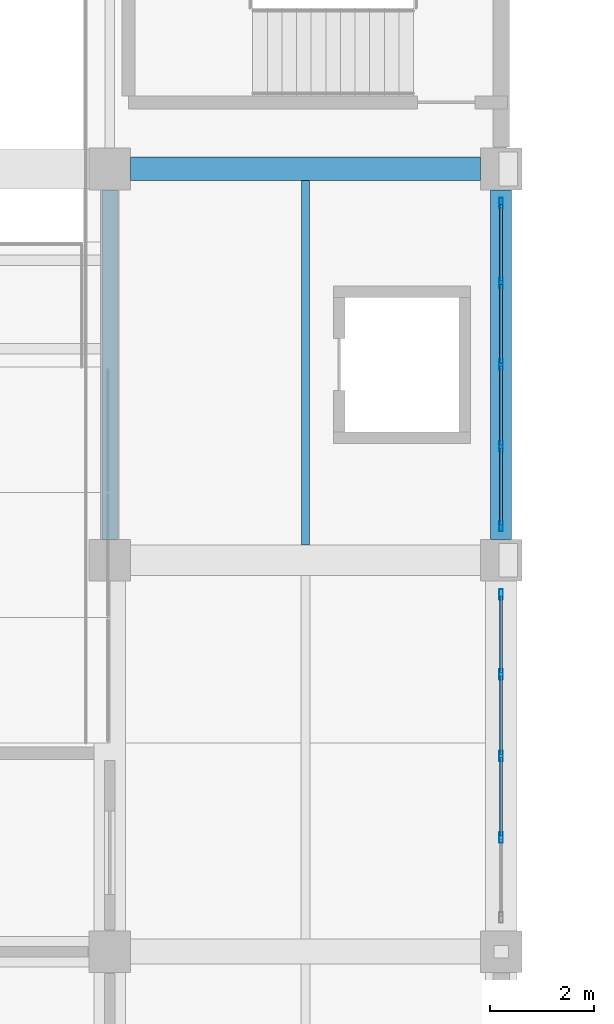
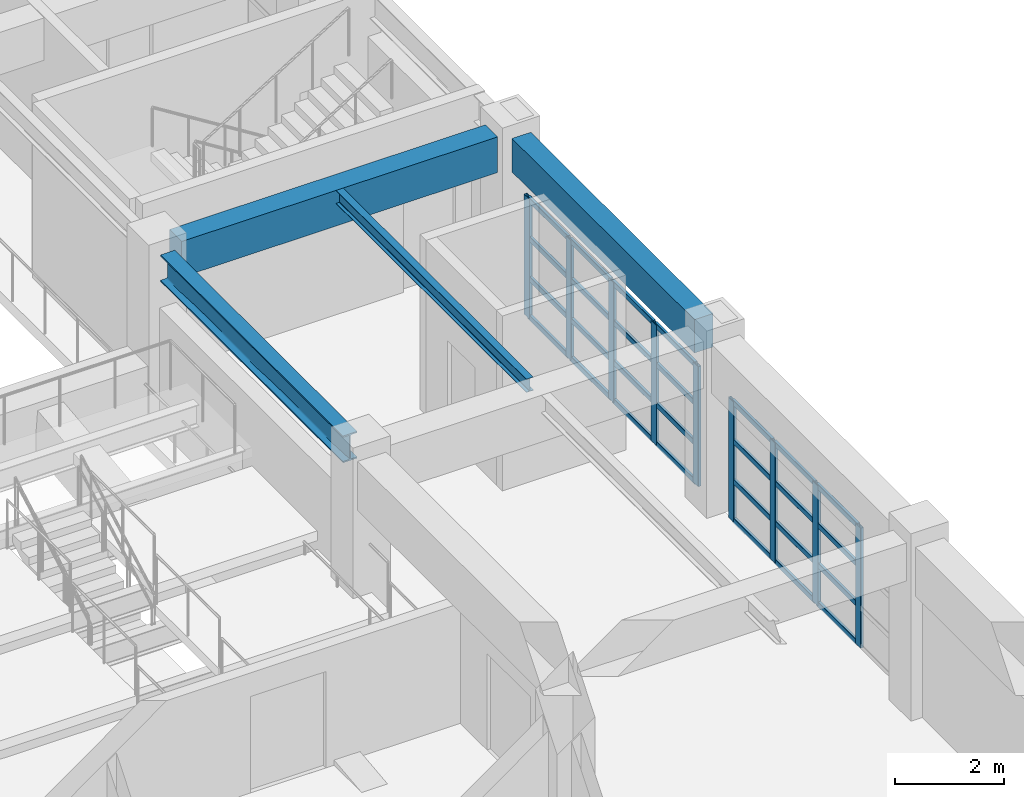
# One storey, part 38 of 124: 37 members, 4 beams, 2 elements without a shape of their own.
"""IFC4 building model written with IfcOpenShell, lengths in metres."""

from ifc_helpers import new_model, si_unit, direction, frame, origin, origin_2d, place, context, subcontext, project, spatial, rectangle, hollow_rectangle, i_section, extrude, material, material_profile, profile_set, type_object, element, aggregate, save


model = new_model("IFC4")

# Units and contexts
model_context = context("Model", 3, precision=1e-05, world=origin(), true_north=direction((0.0, 1.0)))
body_context = subcontext(model_context, "Body", "Model", "MODEL_VIEW")
ifc_project = project(units=[si_unit("LENGTHUNIT", "METRE"), si_unit("AREAUNIT", "SQUARE_METRE"), si_unit("VOLUMEUNIT", "CUBIC_METRE"), si_unit("PLANEANGLEUNIT", "RADIAN"), si_unit("MASSUNIT", "GRAM", prefix="KILO")], contexts=[model_context])

# Site, building, storey
site_placement = place(None, origin())
site = spatial("IfcSite", under=ifc_project, at=site_placement, CompositionType="ELEMENT")
building_placement = place(site_placement, origin())
building = spatial("IfcBuilding", under=site, at=building_placement, Name="Qasida Concert Hall", CompositionType="ELEMENT")
storey_placement = place(building_placement, frame((0.0, 0.0, 9.0)))
storey = spatial("IfcBuildingStorey", under=building, at=storey_placement, Name="L02", CompositionType="ELEMENT", Elevation=9.0)

# Beams
ifc_material_1 = material(Name="Steel S355J2", Category="steel")
ifc_material_profile_1 = material_profile(ifc_material_1, i_section(OverallWidth=0.300048828125, OverallDepth=0.60009765625, WebThickness=0.015380859375, FlangeThickness=0.030029296875, FilletRadius=0.027099609375, at=origin_2d()), Name="HEB 600")
ifc_profile_set_1 = profile_set([ifc_material_profile_1], Name="Steel S355J2")
beam_type_1 = type_object("IfcBeamType", Name="BM-B6", PredefinedType="BEAM", material=ifc_profile_set_1)
beam_1_placement = place(storey_placement, frame((97.5, 37.89990234375, 3.60009765625), z_axis=(0.0, 1.0, 0.0), x_axis=(-1.0, 0.0, 0.0)))
element("IfcBeam", 1, at=beam_1_placement, inside=storey, type_object=beam_type_1, Name="L02 girder 1189", PredefinedType="BEAM", context=body_context, shape_type="SweptSolid", body=[
    extrude(i_section(OverallWidth=0.300048828125, OverallDepth=0.60009765625, WebThickness=0.015380859375, FlangeThickness=0.030029296875, FilletRadius=0.027099609375, at=origin_2d()), origin(), (0.0, 0.0, 1.0), 6.7001953125),
])
ifc_material_2 = material(Name="Concrete C40/50", Category="concrete")
ifc_material_profile_2 = material_profile(ifc_material_2, rectangle(XDim=0.449951171875, YDim=0.800048828125, at=origin_2d()), Name="RC 450x800")
ifc_profile_set_2 = profile_set([ifc_material_profile_2], Name="Concrete C40/50")
beam_type_2 = type_object("IfcBeamType", Name="BM-G2", PredefinedType="USERDEFINED", material=ifc_profile_set_2)
beam_2_placement = place(storey_placement, frame((97.89990234375, 45.0, 3.5), z_axis=(1.0, 0.0, 0.0), x_axis=(0.0, 1.0, 0.0)))
element("IfcBeam", 2, at=beam_2_placement, inside=storey, type_object=beam_type_2, Name="Primary girder 1150", ObjectType="GIRDER", PredefinedType="USERDEFINED", context=body_context, shape_type="SweptSolid", body=[
    extrude(rectangle(XDim=0.449951171875, YDim=0.800048828125, at=origin_2d()), origin(), (0.0, 0.0, 1.0), 6.7001953125),
])
ifc_material_profile_3 = material_profile(ifc_material_1, i_section(OverallWidth=0.14990234375, OverallDepth=0.300048828125, WebThickness=0.007080078125, FlangeThickness=0.0107421875, FilletRadius=0.014892578125, at=origin_2d()), Name="IPE 300")
ifc_profile_set_3 = profile_set([ifc_material_profile_3], Name="Steel S355J2")
beam_type_3 = type_object("IfcBeamType", Name="BM-J4", PredefinedType="JOIST", material=ifc_profile_set_3)
beam_3_placement = place(storey_placement, frame((101.25, 37.7900390625, 3.75), z_axis=(0.0, 1.0, 0.0), x_axis=(-1.0, 0.0, 0.0)))
element("IfcBeam", 3, at=beam_3_placement, inside=storey, type_object=beam_type_3, Name="L02 secondary joist 1219", PredefinedType="JOIST", context=body_context, shape_type="SweptSolid", body=[
    extrude(i_section(OverallWidth=0.14990234375, OverallDepth=0.300048828125, WebThickness=0.007080078125, FlangeThickness=0.0107421875, FilletRadius=0.014892578125, at=origin_2d()), origin(), (0.0, 0.0, 1.0), 6.98486328125),
])
ifc_material_profile_4 = material_profile(ifc_material_2, rectangle(XDim=0.39990234375, YDim=0.75, at=origin_2d()), Name="RC 400x750")
ifc_profile_set_4 = profile_set([ifc_material_profile_4], Name="Concrete C40/50")
beam_type_4 = type_object("IfcBeamType", Name="BM-SP1", PredefinedType="SPANDREL", material=ifc_profile_set_4)
beam_4_placement = place(storey_placement, frame((105.0, 37.89990234375, 3.52490234375), z_axis=(0.0, 1.0, 0.0), x_axis=(-1.0, 0.0, 0.0)))
element("IfcBeam", 4, at=beam_4_placement, inside=storey, type_object=beam_type_4, Name="L02 girder 1195", PredefinedType="SPANDREL", context=body_context, shape_type="SweptSolid", body=[
    extrude(rectangle(XDim=0.39990234375, YDim=0.75, at=origin_2d()), origin(), (0.0, 0.0, 1.0), 6.7001953125),
])

# Curtain wall, members
ifc_material_3 = material(Name="Architectural bronze-anodized aluminium and low-E glass", Category="aluminium")
curtain_wall_type = type_object("IfcCurtainWallType", Name="CW-03", PredefinedType="NOTDEFINED", material=ifc_material_3)
curtain_wall_1_placement = place(storey_placement, origin())
curtain_wall_1 = element("IfcCurtainWall", 5, at=curtain_wall_1_placement, inside=storey, type_object=curtain_wall_type, Name="L02 curtain wall CW-03 0046", PredefinedType="NOTDEFINED")
ifc_material_4 = material(Name="Architectural bronze-anodized aluminium EN AW-6063", Category="aluminium")
ifc_material_profile_5 = material_profile(ifc_material_4, hollow_rectangle(XDim=0.06494140625, YDim=0.199951171875, WallThickness=0.0048828125, InnerFilletRadius=0.0048828125, OuterFilletRadius=0.010009765625, at=origin_2d()), Name="CWM 200x65x5")
ifc_profile_set_5 = profile_set([ifc_material_profile_5], Name="Architectural bronze-anodized aluminium EN AW-6063")
member_type_1 = type_object("IfcMemberType", Name="MB-CWM-2", PredefinedType="MULLION", material=ifc_profile_set_5)
member_1_placement = place(storey_placement, frame((105.0, 32.18505859375, 0.0), z_axis=(0.0, 0.0, 1.0), x_axis=(-1.0, 0.0, 0.0)))
member_1 = element("IfcMember", 6, at=member_1_placement, type_object=member_type_1, Name="CW-03 mullion 2", PredefinedType="MULLION", context=body_context, shape_type="SweptSolid", body=[
    extrude(hollow_rectangle(XDim=0.06494140625, YDim=0.199951171875, WallThickness=0.0048828125, InnerFilletRadius=0.0048828125, OuterFilletRadius=0.010009765625, at=origin_2d()), origin(), (0.0, 0.0, 1.0), 2.68994140625),
])
member_2_placement = place(storey_placement, frame((105.0, 33.75, 0.0), z_axis=(0.0, 0.0, 1.0), x_axis=(-1.0, 0.0, 0.0)))
member_2 = element("IfcMember", 7, at=member_2_placement, type_object=member_type_1, Name="CW-03 mullion 3", PredefinedType="MULLION", context=body_context, shape_type="SweptSolid", body=[
    extrude(hollow_rectangle(XDim=0.06494140625, YDim=0.199951171875, WallThickness=0.0048828125, InnerFilletRadius=0.0048828125, OuterFilletRadius=0.010009765625, at=origin_2d()), origin(), (0.0, 0.0, 1.0), 2.68994140625),
])
member_3_placement = place(storey_placement, frame((105.0, 35.31494140625, 0.0), z_axis=(0.0, 0.0, 1.0), x_axis=(-1.0, 0.0, 0.0)))
member_3 = element("IfcMember", 8, at=member_3_placement, type_object=member_type_1, Name="CW-03 mullion 4", PredefinedType="MULLION", context=body_context, shape_type="SweptSolid", body=[
    extrude(hollow_rectangle(XDim=0.06494140625, YDim=0.199951171875, WallThickness=0.0048828125, InnerFilletRadius=0.0048828125, OuterFilletRadius=0.010009765625, at=origin_2d()), origin(), (0.0, 0.0, 1.0), 2.68994140625),
])
member_4_placement = place(storey_placement, frame((105.0, 36.847412109375, 0.0), z_axis=(0.0, 0.0, 1.0), x_axis=(-1.0, 0.0, 0.0)))
member_4 = element("IfcMember", 9, at=member_4_placement, type_object=member_type_1, Name="CW-03 mullion 5", PredefinedType="MULLION", context=body_context, shape_type="SweptSolid", body=[
    extrude(hollow_rectangle(XDim=0.06494140625, YDim=0.199951171875, WallThickness=0.0048828125, InnerFilletRadius=0.0048828125, OuterFilletRadius=0.010009765625, at=origin_2d()), origin(), (0.0, 0.0, 1.0), 2.68994140625),
])

curtain_wall_2_placement = place(storey_placement, origin())
curtain_wall_2 = element("IfcCurtainWall", 10, at=curtain_wall_2_placement, inside=storey, type_object=curtain_wall_type, Name="L02 curtain wall CW-03 0048", PredefinedType="NOTDEFINED")
member_5_placement = place(storey_placement, frame((105.0, 38.152587890625, 0.0), z_axis=(0.0, 0.0, 1.0), x_axis=(-1.0, 0.0, 0.0)))
member_5 = element("IfcMember", 11, at=member_5_placement, type_object=member_type_1, Name="CW-03 mullion 1", PredefinedType="MULLION", context=body_context, shape_type="SweptSolid", body=[
    extrude(hollow_rectangle(XDim=0.06494140625, YDim=0.199951171875, WallThickness=0.0048828125, InnerFilletRadius=0.0048828125, OuterFilletRadius=0.010009765625, at=origin_2d()), origin(), (0.0, 0.0, 1.0), 2.68994140625),
])
member_6_placement = place(storey_placement, frame((105.0, 39.68505859375, 0.0), z_axis=(0.0, 0.0, 1.0), x_axis=(-1.0, 0.0, 0.0)))
member_6 = element("IfcMember", 12, at=member_6_placement, type_object=member_type_1, Name="CW-03 mullion 2", PredefinedType="MULLION", context=body_context, shape_type="SweptSolid", body=[
    extrude(hollow_rectangle(XDim=0.06494140625, YDim=0.199951171875, WallThickness=0.0048828125, InnerFilletRadius=0.0048828125, OuterFilletRadius=0.010009765625, at=origin_2d()), origin(), (0.0, 0.0, 1.0), 2.68994140625),
])
member_7_placement = place(storey_placement, frame((105.0, 41.25, 0.0), z_axis=(0.0, 0.0, 1.0), x_axis=(-1.0, 0.0, 0.0)))
member_7 = element("IfcMember", 13, at=member_7_placement, type_object=member_type_1, Name="CW-03 mullion 3", PredefinedType="MULLION", context=body_context, shape_type="SweptSolid", body=[
    extrude(hollow_rectangle(XDim=0.06494140625, YDim=0.199951171875, WallThickness=0.0048828125, InnerFilletRadius=0.0048828125, OuterFilletRadius=0.010009765625, at=origin_2d()), origin(), (0.0, 0.0, 1.0), 2.68994140625),
])
member_8_placement = place(storey_placement, frame((105.0, 42.81494140625, 0.0), z_axis=(0.0, 0.0, 1.0), x_axis=(-1.0, 0.0, 0.0)))
member_8 = element("IfcMember", 14, at=member_8_placement, type_object=member_type_1, Name="CW-03 mullion 4", PredefinedType="MULLION", context=body_context, shape_type="SweptSolid", body=[
    extrude(hollow_rectangle(XDim=0.06494140625, YDim=0.199951171875, WallThickness=0.0048828125, InnerFilletRadius=0.0048828125, OuterFilletRadius=0.010009765625, at=origin_2d()), origin(), (0.0, 0.0, 1.0), 2.68994140625),
])
member_9_placement = place(storey_placement, frame((105.0, 44.347412109375, 0.0), z_axis=(0.0, 0.0, 1.0), x_axis=(-1.0, 0.0, 0.0)))
member_9 = element("IfcMember", 15, at=member_9_placement, type_object=member_type_1, Name="CW-03 mullion 5", PredefinedType="MULLION", context=body_context, shape_type="SweptSolid", body=[
    extrude(hollow_rectangle(XDim=0.06494140625, YDim=0.199951171875, WallThickness=0.0048828125, InnerFilletRadius=0.0048828125, OuterFilletRadius=0.010009765625, at=origin_2d()), origin(), (0.0, 0.0, 1.0), 2.68994140625),
])

# Member
ifc_material_profile_6 = material_profile(ifc_material_4, hollow_rectangle(XDim=0.06005859375, YDim=0.1201171875, WallThickness=0.00390625, InnerFilletRadius=0.00390625, OuterFilletRadius=0.008056640625, at=origin_2d()), Name="CWT 120x60x4")
ifc_profile_set_6 = profile_set([ifc_material_profile_6], Name="Architectural bronze-anodized aluminium EN AW-6063")
member_type_2 = type_object("IfcMemberType", Name="MB-CWT-2", PredefinedType="USERDEFINED", material=ifc_profile_set_6)
member_10_placement = place(storey_placement, frame((105.0, 32.217529296875, 0.030029296875), z_axis=(0.0, 1.0, 0.0), x_axis=(-1.0, 0.0, 0.0)))
member_10 = element("IfcMember", 16, at=member_10_placement, type_object=member_type_2, Name="CW-03 transom 2.1", ObjectType="TRANSOM", PredefinedType="USERDEFINED", context=body_context, shape_type="SweptSolid", body=[
    extrude(hollow_rectangle(XDim=0.06005859375, YDim=0.1201171875, WallThickness=0.00390625, InnerFilletRadius=0.00390625, OuterFilletRadius=0.008056640625, at=origin_2d()), origin(), (0.0, 0.0, 1.0), 1.5),
])

member_11_placement = place(storey_placement, frame((105.0, 32.217529296875, 0.896728515625), z_axis=(0.0, 1.0, 0.0), x_axis=(-1.0, 0.0, 0.0)))
member_11 = element("IfcMember", 17, at=member_11_placement, type_object=member_type_2, Name="CW-03 transom 2.2", ObjectType="TRANSOM", PredefinedType="USERDEFINED", context=body_context, shape_type="SweptSolid", body=[
    extrude(hollow_rectangle(XDim=0.06005859375, YDim=0.1201171875, WallThickness=0.00390625, InnerFilletRadius=0.00390625, OuterFilletRadius=0.008056640625, at=origin_2d()), origin(), (0.0, 0.0, 1.0), 1.5),
])

member_12_placement = place(storey_placement, frame((105.0, 32.217529296875, 1.793212890625), z_axis=(0.0, 1.0, 0.0), x_axis=(-1.0, 0.0, 0.0)))
member_12 = element("IfcMember", 18, at=member_12_placement, type_object=member_type_2, Name="CW-03 transom 2.3", ObjectType="TRANSOM", PredefinedType="USERDEFINED", context=body_context, shape_type="SweptSolid", body=[
    extrude(hollow_rectangle(XDim=0.06005859375, YDim=0.1201171875, WallThickness=0.00390625, InnerFilletRadius=0.00390625, OuterFilletRadius=0.008056640625, at=origin_2d()), origin(), (0.0, 0.0, 1.0), 1.5),
])

member_13_placement = place(storey_placement, frame((105.0, 32.217529296875, 2.659912109375), z_axis=(0.0, 1.0, 0.0), x_axis=(-1.0, 0.0, 0.0)))
member_13 = element("IfcMember", 19, at=member_13_placement, type_object=member_type_2, Name="CW-03 transom 2.4", ObjectType="TRANSOM", PredefinedType="USERDEFINED", context=body_context, shape_type="SweptSolid", body=[
    extrude(hollow_rectangle(XDim=0.06005859375, YDim=0.1201171875, WallThickness=0.00390625, InnerFilletRadius=0.00390625, OuterFilletRadius=0.008056640625, at=origin_2d()), origin(), (0.0, 0.0, 1.0), 1.5),
])

member_14_placement = place(storey_placement, frame((105.0, 33.782470703125, 0.030029296875), z_axis=(0.0, 1.0, 0.0), x_axis=(-1.0, 0.0, 0.0)))
member_14 = element("IfcMember", 20, at=member_14_placement, type_object=member_type_2, Name="CW-03 transom 3.1", ObjectType="TRANSOM", PredefinedType="USERDEFINED", context=body_context, shape_type="SweptSolid", body=[
    extrude(hollow_rectangle(XDim=0.06005859375, YDim=0.1201171875, WallThickness=0.00390625, InnerFilletRadius=0.00390625, OuterFilletRadius=0.008056640625, at=origin_2d()), origin(), (0.0, 0.0, 1.0), 1.5),
])

member_15_placement = place(storey_placement, frame((105.0, 33.782470703125, 0.896728515625), z_axis=(0.0, 1.0, 0.0), x_axis=(-1.0, 0.0, 0.0)))
member_15 = element("IfcMember", 21, at=member_15_placement, type_object=member_type_2, Name="CW-03 transom 3.2", ObjectType="TRANSOM", PredefinedType="USERDEFINED", context=body_context, shape_type="SweptSolid", body=[
    extrude(hollow_rectangle(XDim=0.06005859375, YDim=0.1201171875, WallThickness=0.00390625, InnerFilletRadius=0.00390625, OuterFilletRadius=0.008056640625, at=origin_2d()), origin(), (0.0, 0.0, 1.0), 1.5),
])

member_16_placement = place(storey_placement, frame((105.0, 33.782470703125, 1.793212890625), z_axis=(0.0, 1.0, 0.0), x_axis=(-1.0, 0.0, 0.0)))
member_16 = element("IfcMember", 22, at=member_16_placement, type_object=member_type_2, Name="CW-03 transom 3.3", ObjectType="TRANSOM", PredefinedType="USERDEFINED", context=body_context, shape_type="SweptSolid", body=[
    extrude(hollow_rectangle(XDim=0.06005859375, YDim=0.1201171875, WallThickness=0.00390625, InnerFilletRadius=0.00390625, OuterFilletRadius=0.008056640625, at=origin_2d()), origin(), (0.0, 0.0, 1.0), 1.5),
])

member_17_placement = place(storey_placement, frame((105.0, 33.782470703125, 2.659912109375), z_axis=(0.0, 1.0, 0.0), x_axis=(-1.0, 0.0, 0.0)))
member_17 = element("IfcMember", 23, at=member_17_placement, type_object=member_type_2, Name="CW-03 transom 3.4", ObjectType="TRANSOM", PredefinedType="USERDEFINED", context=body_context, shape_type="SweptSolid", body=[
    extrude(hollow_rectangle(XDim=0.06005859375, YDim=0.1201171875, WallThickness=0.00390625, InnerFilletRadius=0.00390625, OuterFilletRadius=0.008056640625, at=origin_2d()), origin(), (0.0, 0.0, 1.0), 1.5),
])

member_18_placement = place(storey_placement, frame((105.0, 35.347412109375, 0.030029296875), z_axis=(0.0, 1.0, 0.0), x_axis=(-1.0, 0.0, 0.0)))
member_18 = element("IfcMember", 24, at=member_18_placement, type_object=member_type_2, Name="CW-03 transom 4.1", ObjectType="TRANSOM", PredefinedType="USERDEFINED", context=body_context, shape_type="SweptSolid", body=[
    extrude(hollow_rectangle(XDim=0.06005859375, YDim=0.1201171875, WallThickness=0.00390625, InnerFilletRadius=0.00390625, OuterFilletRadius=0.008056640625, at=origin_2d()), origin(), (0.0, 0.0, 1.0), 1.467529296875),
])

member_19_placement = place(storey_placement, frame((105.0, 35.347412109375, 0.896728515625), z_axis=(0.0, 1.0, 0.0), x_axis=(-1.0, 0.0, 0.0)))
member_19 = element("IfcMember", 25, at=member_19_placement, type_object=member_type_2, Name="CW-03 transom 4.2", ObjectType="TRANSOM", PredefinedType="USERDEFINED", context=body_context, shape_type="SweptSolid", body=[
    extrude(hollow_rectangle(XDim=0.06005859375, YDim=0.1201171875, WallThickness=0.00390625, InnerFilletRadius=0.00390625, OuterFilletRadius=0.008056640625, at=origin_2d()), origin(), (0.0, 0.0, 1.0), 1.467529296875),
])

member_20_placement = place(storey_placement, frame((105.0, 35.347412109375, 1.793212890625), z_axis=(0.0, 1.0, 0.0), x_axis=(-1.0, 0.0, 0.0)))
member_20 = element("IfcMember", 26, at=member_20_placement, type_object=member_type_2, Name="CW-03 transom 4.3", ObjectType="TRANSOM", PredefinedType="USERDEFINED", context=body_context, shape_type="SweptSolid", body=[
    extrude(hollow_rectangle(XDim=0.06005859375, YDim=0.1201171875, WallThickness=0.00390625, InnerFilletRadius=0.00390625, OuterFilletRadius=0.008056640625, at=origin_2d()), origin(), (0.0, 0.0, 1.0), 1.467529296875),
])

member_21_placement = place(storey_placement, frame((105.0, 35.347412109375, 2.659912109375), z_axis=(0.0, 1.0, 0.0), x_axis=(-1.0, 0.0, 0.0)))
member_21 = element("IfcMember", 27, at=member_21_placement, type_object=member_type_2, Name="CW-03 transom 4.4", ObjectType="TRANSOM", PredefinedType="USERDEFINED", context=body_context, shape_type="SweptSolid", body=[
    extrude(hollow_rectangle(XDim=0.06005859375, YDim=0.1201171875, WallThickness=0.00390625, InnerFilletRadius=0.00390625, OuterFilletRadius=0.008056640625, at=origin_2d()), origin(), (0.0, 0.0, 1.0), 1.467529296875),
])

aggregate(curtain_wall_1, [member_1, member_2, member_3, member_4, member_10, member_11, member_12, member_13, member_14, member_15, member_16, member_17, member_18, member_19, member_20, member_21])

member_22_placement = place(storey_placement, frame((105.0, 38.18505859375, 0.030029296875), z_axis=(0.0, 1.0, 0.0), x_axis=(-1.0, 0.0, 0.0)))
member_22 = element("IfcMember", 28, at=member_22_placement, type_object=member_type_2, Name="CW-03 transom 1.1", ObjectType="TRANSOM", PredefinedType="USERDEFINED", context=body_context, shape_type="SweptSolid", body=[
    extrude(hollow_rectangle(XDim=0.06005859375, YDim=0.1201171875, WallThickness=0.00390625, InnerFilletRadius=0.00390625, OuterFilletRadius=0.008056640625, at=origin_2d()), origin(), (0.0, 0.0, 1.0), 1.467529296875),
])

member_23_placement = place(storey_placement, frame((105.0, 38.18505859375, 0.896728515625), z_axis=(0.0, 1.0, 0.0), x_axis=(-1.0, 0.0, 0.0)))
member_23 = element("IfcMember", 29, at=member_23_placement, type_object=member_type_2, Name="CW-03 transom 1.2", ObjectType="TRANSOM", PredefinedType="USERDEFINED", context=body_context, shape_type="SweptSolid", body=[
    extrude(hollow_rectangle(XDim=0.06005859375, YDim=0.1201171875, WallThickness=0.00390625, InnerFilletRadius=0.00390625, OuterFilletRadius=0.008056640625, at=origin_2d()), origin(), (0.0, 0.0, 1.0), 1.467529296875),
])

member_24_placement = place(storey_placement, frame((105.0, 38.18505859375, 1.793212890625), z_axis=(0.0, 1.0, 0.0), x_axis=(-1.0, 0.0, 0.0)))
member_24 = element("IfcMember", 30, at=member_24_placement, type_object=member_type_2, Name="CW-03 transom 1.3", ObjectType="TRANSOM", PredefinedType="USERDEFINED", context=body_context, shape_type="SweptSolid", body=[
    extrude(hollow_rectangle(XDim=0.06005859375, YDim=0.1201171875, WallThickness=0.00390625, InnerFilletRadius=0.00390625, OuterFilletRadius=0.008056640625, at=origin_2d()), origin(), (0.0, 0.0, 1.0), 1.467529296875),
])

member_25_placement = place(storey_placement, frame((105.0, 38.18505859375, 2.659912109375), z_axis=(0.0, 1.0, 0.0), x_axis=(-1.0, 0.0, 0.0)))
member_25 = element("IfcMember", 31, at=member_25_placement, type_object=member_type_2, Name="CW-03 transom 1.4", ObjectType="TRANSOM", PredefinedType="USERDEFINED", context=body_context, shape_type="SweptSolid", body=[
    extrude(hollow_rectangle(XDim=0.06005859375, YDim=0.1201171875, WallThickness=0.00390625, InnerFilletRadius=0.00390625, OuterFilletRadius=0.008056640625, at=origin_2d()), origin(), (0.0, 0.0, 1.0), 1.467529296875),
])

member_26_placement = place(storey_placement, frame((105.0, 39.717529296875, 0.030029296875), z_axis=(0.0, 1.0, 0.0), x_axis=(-1.0, 0.0, 0.0)))
member_26 = element("IfcMember", 32, at=member_26_placement, type_object=member_type_2, Name="CW-03 transom 2.1", ObjectType="TRANSOM", PredefinedType="USERDEFINED", context=body_context, shape_type="SweptSolid", body=[
    extrude(hollow_rectangle(XDim=0.06005859375, YDim=0.1201171875, WallThickness=0.00390625, InnerFilletRadius=0.00390625, OuterFilletRadius=0.008056640625, at=origin_2d()), origin(), (0.0, 0.0, 1.0), 1.5),
])

member_27_placement = place(storey_placement, frame((105.0, 39.717529296875, 0.896728515625), z_axis=(0.0, 1.0, 0.0), x_axis=(-1.0, 0.0, 0.0)))
member_27 = element("IfcMember", 33, at=member_27_placement, type_object=member_type_2, Name="CW-03 transom 2.2", ObjectType="TRANSOM", PredefinedType="USERDEFINED", context=body_context, shape_type="SweptSolid", body=[
    extrude(hollow_rectangle(XDim=0.06005859375, YDim=0.1201171875, WallThickness=0.00390625, InnerFilletRadius=0.00390625, OuterFilletRadius=0.008056640625, at=origin_2d()), origin(), (0.0, 0.0, 1.0), 1.5),
])

member_28_placement = place(storey_placement, frame((105.0, 39.717529296875, 1.793212890625), z_axis=(0.0, 1.0, 0.0), x_axis=(-1.0, 0.0, 0.0)))
member_28 = element("IfcMember", 34, at=member_28_placement, type_object=member_type_2, Name="CW-03 transom 2.3", ObjectType="TRANSOM", PredefinedType="USERDEFINED", context=body_context, shape_type="SweptSolid", body=[
    extrude(hollow_rectangle(XDim=0.06005859375, YDim=0.1201171875, WallThickness=0.00390625, InnerFilletRadius=0.00390625, OuterFilletRadius=0.008056640625, at=origin_2d()), origin(), (0.0, 0.0, 1.0), 1.5),
])

member_29_placement = place(storey_placement, frame((105.0, 39.717529296875, 2.659912109375), z_axis=(0.0, 1.0, 0.0), x_axis=(-1.0, 0.0, 0.0)))
member_29 = element("IfcMember", 35, at=member_29_placement, type_object=member_type_2, Name="CW-03 transom 2.4", ObjectType="TRANSOM", PredefinedType="USERDEFINED", context=body_context, shape_type="SweptSolid", body=[
    extrude(hollow_rectangle(XDim=0.06005859375, YDim=0.1201171875, WallThickness=0.00390625, InnerFilletRadius=0.00390625, OuterFilletRadius=0.008056640625, at=origin_2d()), origin(), (0.0, 0.0, 1.0), 1.5),
])

member_30_placement = place(storey_placement, frame((105.0, 41.282470703125, 0.030029296875), z_axis=(0.0, 1.0, 0.0), x_axis=(-1.0, 0.0, 0.0)))
member_30 = element("IfcMember", 36, at=member_30_placement, type_object=member_type_2, Name="CW-03 transom 3.1", ObjectType="TRANSOM", PredefinedType="USERDEFINED", context=body_context, shape_type="SweptSolid", body=[
    extrude(hollow_rectangle(XDim=0.06005859375, YDim=0.1201171875, WallThickness=0.00390625, InnerFilletRadius=0.00390625, OuterFilletRadius=0.008056640625, at=origin_2d()), origin(), (0.0, 0.0, 1.0), 1.5),
])

member_31_placement = place(storey_placement, frame((105.0, 41.282470703125, 0.896728515625), z_axis=(0.0, 1.0, 0.0), x_axis=(-1.0, 0.0, 0.0)))
member_31 = element("IfcMember", 37, at=member_31_placement, type_object=member_type_2, Name="CW-03 transom 3.2", ObjectType="TRANSOM", PredefinedType="USERDEFINED", context=body_context, shape_type="SweptSolid", body=[
    extrude(hollow_rectangle(XDim=0.06005859375, YDim=0.1201171875, WallThickness=0.00390625, InnerFilletRadius=0.00390625, OuterFilletRadius=0.008056640625, at=origin_2d()), origin(), (0.0, 0.0, 1.0), 1.5),
])

member_32_placement = place(storey_placement, frame((105.0, 41.282470703125, 1.793212890625), z_axis=(0.0, 1.0, 0.0), x_axis=(-1.0, 0.0, 0.0)))
member_32 = element("IfcMember", 38, at=member_32_placement, type_object=member_type_2, Name="CW-03 transom 3.3", ObjectType="TRANSOM", PredefinedType="USERDEFINED", context=body_context, shape_type="SweptSolid", body=[
    extrude(hollow_rectangle(XDim=0.06005859375, YDim=0.1201171875, WallThickness=0.00390625, InnerFilletRadius=0.00390625, OuterFilletRadius=0.008056640625, at=origin_2d()), origin(), (0.0, 0.0, 1.0), 1.5),
])

member_33_placement = place(storey_placement, frame((105.0, 41.282470703125, 2.659912109375), z_axis=(0.0, 1.0, 0.0), x_axis=(-1.0, 0.0, 0.0)))
member_33 = element("IfcMember", 39, at=member_33_placement, type_object=member_type_2, Name="CW-03 transom 3.4", ObjectType="TRANSOM", PredefinedType="USERDEFINED", context=body_context, shape_type="SweptSolid", body=[
    extrude(hollow_rectangle(XDim=0.06005859375, YDim=0.1201171875, WallThickness=0.00390625, InnerFilletRadius=0.00390625, OuterFilletRadius=0.008056640625, at=origin_2d()), origin(), (0.0, 0.0, 1.0), 1.5),
])

member_34_placement = place(storey_placement, frame((105.0, 42.847412109375, 0.030029296875), z_axis=(0.0, 1.0, 0.0), x_axis=(-1.0, 0.0, 0.0)))
member_34 = element("IfcMember", 40, at=member_34_placement, type_object=member_type_2, Name="CW-03 transom 4.1", ObjectType="TRANSOM", PredefinedType="USERDEFINED", context=body_context, shape_type="SweptSolid", body=[
    extrude(hollow_rectangle(XDim=0.06005859375, YDim=0.1201171875, WallThickness=0.00390625, InnerFilletRadius=0.00390625, OuterFilletRadius=0.008056640625, at=origin_2d()), origin(), (0.0, 0.0, 1.0), 1.467529296875),
])

member_35_placement = place(storey_placement, frame((105.0, 42.847412109375, 0.896728515625), z_axis=(0.0, 1.0, 0.0), x_axis=(-1.0, 0.0, 0.0)))
member_35 = element("IfcMember", 41, at=member_35_placement, type_object=member_type_2, Name="CW-03 transom 4.2", ObjectType="TRANSOM", PredefinedType="USERDEFINED", context=body_context, shape_type="SweptSolid", body=[
    extrude(hollow_rectangle(XDim=0.06005859375, YDim=0.1201171875, WallThickness=0.00390625, InnerFilletRadius=0.00390625, OuterFilletRadius=0.008056640625, at=origin_2d()), origin(), (0.0, 0.0, 1.0), 1.467529296875),
])

member_36_placement = place(storey_placement, frame((105.0, 42.847412109375, 1.793212890625), z_axis=(0.0, 1.0, 0.0), x_axis=(-1.0, 0.0, 0.0)))
member_36 = element("IfcMember", 42, at=member_36_placement, type_object=member_type_2, Name="CW-03 transom 4.3", ObjectType="TRANSOM", PredefinedType="USERDEFINED", context=body_context, shape_type="SweptSolid", body=[
    extrude(hollow_rectangle(XDim=0.06005859375, YDim=0.1201171875, WallThickness=0.00390625, InnerFilletRadius=0.00390625, OuterFilletRadius=0.008056640625, at=origin_2d()), origin(), (0.0, 0.0, 1.0), 1.467529296875),
])

member_37_placement = place(storey_placement, frame((105.0, 42.847412109375, 2.659912109375), z_axis=(0.0, 1.0, 0.0), x_axis=(-1.0, 0.0, 0.0)))
member_37 = element("IfcMember", 43, at=member_37_placement, type_object=member_type_2, Name="CW-03 transom 4.4", ObjectType="TRANSOM", PredefinedType="USERDEFINED", context=body_context, shape_type="SweptSolid", body=[
    extrude(hollow_rectangle(XDim=0.06005859375, YDim=0.1201171875, WallThickness=0.00390625, InnerFilletRadius=0.00390625, OuterFilletRadius=0.008056640625, at=origin_2d()), origin(), (0.0, 0.0, 1.0), 1.467529296875),
])

aggregate(curtain_wall_2, [member_5, member_6, member_7, member_8, member_9, member_22, member_23, member_24, member_25, member_26, member_27, member_28, member_29, member_30, member_31, member_32, member_33, member_34, member_35, member_36, member_37])

save(model, "model.ifc")
